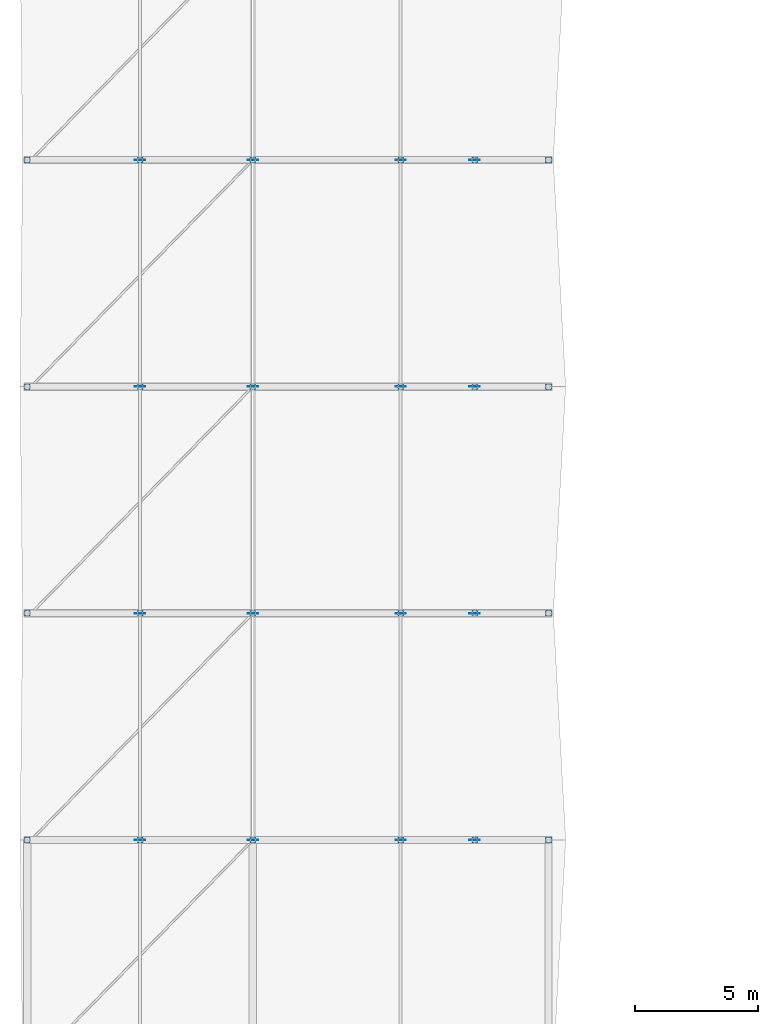
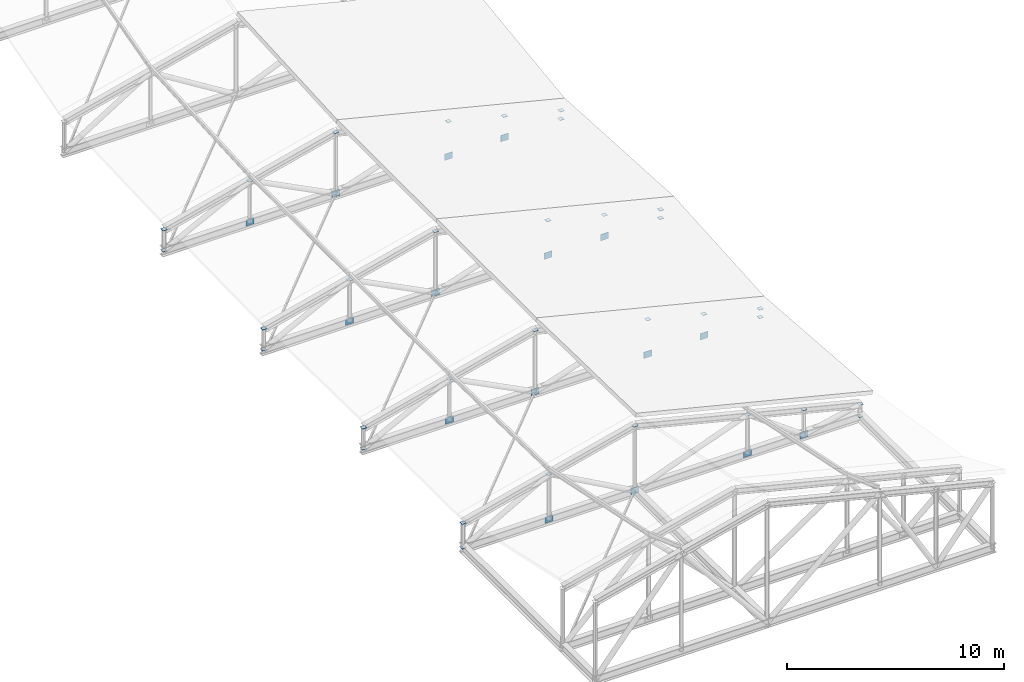
# One storey, part 41 of 61: 48 plates.
"""IFC4 building model written with IfcOpenShell, lengths in metres."""

import ifcopenshell
import ifcopenshell.guid

model = None  # the IFC model being written
_history = None  # IfcOwnerHistory: only IFC2X3 demands one
_inside = {}  # id of a spatial element -> (the spatial element, [elements in it])
_under = {}  # id of a project, library or spatial element -> (it, [spatial elements below it])
_declared = {}  # id of a project -> (the project, [libraries it declares])
_typed = {}  # id of a type object -> (the type object, [elements of that type])
_made_of = {}  # id of a material, layer set ... -> (it, [elements and type objects made of it])


def new_model(schema):
    """Start an empty IFC model of exactly this schema.

    Asked for "IFC4X3", IfcOpenShell would pick the latest addendum, in which some entities
    have other attributes; the version numbers below select the first issue.
    IFC2X3 requires an IfcOwnerHistory on every rooted entity: one is made here for all.
    """
    global model, _history
    if schema == "IFC4X3":
        model = ifcopenshell.file(schema_version=(4, 3, 0, 0))
    else:
        model = ifcopenshell.file(schema=schema)
    _inside.clear()
    _under.clear()
    _declared.clear()
    _typed.clear()
    _made_of.clear()
    _history = None
    if model.schema == "IFC2X3":
        org = make("IfcOrganization", Name="unknown")
        user = make(
            "IfcPersonAndOrganization",
            ThePerson=make("IfcPerson", FamilyName="unknown"),
            TheOrganization=org,
        )
        app = make(
            "IfcApplication",
            ApplicationDeveloper=org,
            Version="unknown",
            ApplicationFullName="unknown",
            ApplicationIdentifier="unknown",
        )
        _history = make(
            "IfcOwnerHistory",
            OwningUser=user,
            OwningApplication=app,
            ChangeAction="ADDED",
            CreationDate=0,
        )
    return model


def make(cls, **values):
    """One entity of the class cls with the attributes given. An attribute that is None is left unset."""
    return model.create_entity(
        cls, **{name: value for name, value in values.items() if value is not None}
    )


def rooted(cls, **values):
    """An entity with a GlobalId (a new one), such as an element, a storey or a relation."""
    return make(cls, GlobalId=ifcopenshell.guid.new(), OwnerHistory=_history, **values)


def si_unit(unit_type, name, prefix=None):
    """IfcSIUnit, for example si_unit("LENGTHUNIT", "METRE", prefix="MILLI")."""
    return make("IfcSIUnit", UnitType=unit_type, Prefix=prefix, Name=name)


def assignment(units):
    """IfcUnitAssignment: the units of a project."""
    return None if units is None else make("IfcUnitAssignment", Units=units)


def point(xyz):
    """IfcCartesianPoint."""
    return None if xyz is None else make("IfcCartesianPoint", Coordinates=xyz)


def direction(xyz):
    """IfcDirection."""
    return None if xyz is None else make("IfcDirection", DirectionRatios=xyz)


def frame(location, z_axis=None, x_axis=None):
    """IfcAxis2Placement3D, a coordinate frame: its origin and axes. An axis left out is left unset."""
    return make(
        "IfcAxis2Placement3D",
        Location=point(location),
        Axis=direction(z_axis),
        RefDirection=direction(x_axis),
    )


def frame_2d(location, x_axis=None):
    """IfcAxis2Placement2D, a coordinate frame in the plane: its origin and x axis."""
    return make(
        "IfcAxis2Placement2D", Location=point(location), RefDirection=direction(x_axis)
    )


def origin():
    """The frame at (0, 0, 0) with its axes left unset."""
    return frame((0.0, 0.0, 0.0))


def origin_2d():
    """The frame at (0, 0) in the plane with its x axis left unset."""
    return frame_2d((0.0, 0.0))


def place(relative_to, where):
    """IfcLocalPlacement: puts the frame where relative to a parent placement (None: the world)."""
    return make(
        "IfcLocalPlacement", PlacementRelTo=relative_to, RelativePlacement=where
    )


def context(
    kind, dimensions, precision=None, world=None, true_north=None, identifier=None
):
    """IfcGeometricRepresentationContext, for example the 3D "Model" context."""
    return make(
        "IfcGeometricRepresentationContext",
        ContextIdentifier=identifier,
        ContextType=kind,
        CoordinateSpaceDimension=dimensions,
        Precision=precision,
        WorldCoordinateSystem=world,
        TrueNorth=true_north,
    )


def subcontext(parent, identifier, kind, view, scale=None):
    """IfcGeometricRepresentationSubContext, for example "Body" below "Model"."""
    return make(
        "IfcGeometricRepresentationSubContext",
        ContextIdentifier=identifier,
        ContextType=kind,
        ParentContext=parent,
        TargetScale=scale,
        TargetView=view,
    )


def project(units=None, contexts=None):
    """IfcProject with its units and contexts."""
    return rooted(
        "IfcProject",
        Name="project",
        RepresentationContexts=contexts,
        UnitsInContext=assignment(units),
    )


def spatial(cls, under=None, at=None, **own):
    """A site, building, storey or space (cls), placed at a placement, below another one or the project."""
    s = rooted(cls, ObjectPlacement=at, **own)
    if under is not None:
        _under.setdefault(under.id(), (under, []))[1].append(s)
    return s


def profile(cls, at=None, kind="AREA", **sizes):
    """A parametric profile (cls). Its sizes go by their IFC names, for example OverallWidth=200.0."""
    return make(cls, ProfileType=kind, Position=at, **sizes)


def rectangle(**sizes):
    """IfcRectangleProfileDef."""
    return profile("IfcRectangleProfileDef", **sizes)


def extrude(swept, where, along, depth):
    """IfcExtrudedAreaSolid: the profile swept, set in the frame where, extruded along a direction by depth."""
    return make(
        "IfcExtrudedAreaSolid",
        SweptArea=swept,
        Position=where,
        ExtrudedDirection=direction(along),
        Depth=depth,
    )


def shape(context_of_items, identifier, shape_type, items):
    """IfcShapeRepresentation: the items that make up one representation, for example the "Body"."""
    return make(
        "IfcShapeRepresentation",
        ContextOfItems=context_of_items,
        RepresentationIdentifier=identifier,
        RepresentationType=shape_type,
        Items=items,
    )


def material(Name=None, Category=None):
    """IfcMaterial."""
    return make("IfcMaterial", Name=Name, Category=Category)


def layer(
    of_material, thickness, ventilated=None, Name=None, Category=None, Priority=None
):
    """IfcMaterialLayer: one layer of a wall or slab, of a material (None: an air gap)."""
    return make(
        "IfcMaterialLayer",
        Material=of_material,
        LayerThickness=thickness,
        IsVentilated=ventilated,
        Name=Name,
        Category=Category,
        Priority=Priority,
    )


def layer_set(layers, Name=None):
    """IfcMaterialLayerSet."""
    return make("IfcMaterialLayerSet", MaterialLayers=layers, LayerSetName=Name)


def made_of(thing, what):
    """Note that an element or type object is made of a material, layer set ...; save() writes the relation."""
    if what is not None:
        _made_of.setdefault(what.id(), (what, []))[1].append(thing)
    return thing


def type_object(cls, material=None, **own):
    """A type object (cls), such as IfcWallType, which elements share."""
    return made_of(rooted(cls, **own), material)


def element(
    cls,
    number,
    at=None,
    inside=None,
    cuts=None,
    type_object=None,
    material=None,
    context=None,
    identifier="Body",
    shape_type=None,
    held_by="IfcProductDefinitionShape",
    body=None,
    shapes=None,
    **own,
):
    """One element of the class cls, such as IfcWall. Its Tag is "e" and its number.

    at: its placement. inside: the storey or other place that contains it. cuts: it is an
    opening in that element (IfcRelVoidsElement). A single representation is given by context,
    identifier, shape_type and body (its items); several are given by shapes. held_by: the class
    of the entity that holds the representations. save() writes the other relations.
    """
    e = rooted(cls, Tag="e%d" % number, ObjectPlacement=at, **own)
    if body is not None:
        shapes = [shape(context, identifier, shape_type, body)]
    if shapes is not None:
        e.Representation = make(held_by, Representations=shapes)
    if inside is not None:
        _inside.setdefault(inside.id(), (inside, []))[1].append(e)
    if cuts is not None:
        rooted(
            "IfcRelVoidsElement", RelatingBuildingElement=cuts, RelatedOpeningElement=e
        )
    if type_object is not None:
        _typed.setdefault(type_object.id(), (type_object, []))[1].append(e)
    return made_of(e, material)


def aggregate(whole, parts):
    """IfcRelAggregates: a whole, such as a stair, and the parts it consists of."""
    return rooted("IfcRelAggregates", RelatingObject=whole, RelatedObjects=parts)


def save(model, path):
    """Write the relations noted so far, then the file.

    IfcRelAggregates (storeys below a building ...), IfcRelContainedInSpatialStructure (elements
    in a storey), IfcRelDefinesByType, IfcRelAssociatesMaterial and IfcRelDeclares: one each for
    every whole, place, type object, material and project.
    """
    for whole, parts in _under.values():
        aggregate(whole, parts)
    for where, things in _inside.values():
        rooted(
            "IfcRelContainedInSpatialStructure",
            RelatedElements=things,
            RelatingStructure=where,
        )
    for kind, things in _typed.values():
        rooted("IfcRelDefinesByType", RelatedObjects=things, RelatingType=kind)
    for what, things in _made_of.values():
        rooted("IfcRelAssociatesMaterial", RelatedObjects=things, RelatingMaterial=what)
    for by, libraries in _declared.values():
        rooted("IfcRelDeclares", RelatingContext=by, RelatedDefinitions=libraries)
    model.write(path)


model = new_model("IFC4")

# Units and contexts
model_context = context("Model", 3, precision=1e-05, world=origin(), true_north=direction((0.0, 1.0)))
body_context = subcontext(model_context, "Body", "Model", "MODEL_VIEW")
ifc_project = project(units=[si_unit("LENGTHUNIT", "METRE"), si_unit("AREAUNIT", "SQUARE_METRE"), si_unit("VOLUMEUNIT", "CUBIC_METRE"), si_unit("PLANEANGLEUNIT", "RADIAN"), si_unit("MASSUNIT", "GRAM", prefix="KILO")], contexts=[model_context])

# Site, building, storey
site_placement = place(None, origin())
site = spatial("IfcSite", under=ifc_project, at=site_placement, CompositionType="ELEMENT")
building_placement = place(site_placement, origin())
building = spatial("IfcBuilding", under=site, at=building_placement, Name="Bozkorgan Art Gallery", CompositionType="ELEMENT")
storey_placement = place(building_placement, frame((0.0, 0.0, 10.199951171875)))
storey = spatial("IfcBuildingStorey", under=building, at=storey_placement, Name="L02", CompositionType="ELEMENT", Elevation=10.199951171875)

# Plates
ifc_material = material(Name="Steel S355J2", Category="steel")
ifc_layer_1 = layer(ifc_material, 0.01611328125, Name="Steel S355J2")
ifc_layer_set_1 = layer_set([ifc_layer_1], Name="Steel S355J2")
plate_type_1 = type_object("IfcPlateType", Name="PLATE-EC-05", PredefinedType="USERDEFINED", material=ifc_layer_set_1)
for number, where, z_axis, x_axis, name in (
    (1, (1.85009765625, 66.0, 1.635009765625), (0.0, 0.0, 1.0), (1.0, 0.0, 0.0), "Truss V2 post cap 3.0"),
    (2, (1.85009765625, 66.0, 0.241943359375), (0.0, 0.0, 1.0), (1.0, 0.0, 0.0), "Truss V2 post base cap 3.0"),
    (3, (6.425048828125, 66.0, 2.775634765625), (0.0, 0.0, 1.0), (1.0, 0.0, 0.0), "Truss V2 post cap 3.1"),
    (4, (11.0, 66.0, 3.916259765625), (0.0, 0.0, 1.0), (1.0, 0.0, 0.0), "Truss V2 post cap 3.2"),
    (5, (17.0, 66.0, 2.42041015625), (0.0, 0.0, 1.0), (1.0, 0.0, 0.0), "Truss V2 post cap 3.3"),
    (6, (20.0, 66.0, 1.67236328125), (0.0, 0.0, 1.0), (1.0, 0.0, 0.0), "Truss V2 post cap 3.4"),
    (7, (23.0, 66.0, 0.92431640625), (0.0, 0.0, 1.0), (1.0, 0.0, 0.0), "Truss V2 post cap 3.5"),
    (8, (23.0, 66.0, 0.241943359375), (0.0, 0.0, 1.0), (1.0, 0.0, 0.0), "Truss V2 post base cap 3.5"),
    (9, (1.85009765625, 75.199951171875, 1.4287109375), (0.0, 0.0, 1.0), (1.0, 0.0, 0.0), "Truss V2 post cap 4.0"),
    (10, (1.85009765625, 75.199951171875, 0.241943359375), (0.0, 0.0, 1.0), (1.0, 0.0, 0.0), "Truss V2 post base cap 4.0"),
    (11, (6.425048828125, 75.199951171875, 2.5693359375), (0.0, 0.0, 1.0), (1.0, 0.0, 0.0), "Truss V2 post cap 4.1"),
    (12, (11.0, 75.199951171875, 3.710205078125), (0.0, 0.0, 1.0), (1.0, 0.0, 0.0), "Truss V2 post cap 4.2"),
    (13, (17.0, 75.199951171875, 2.214111328125), (0.0, 0.0, 1.0), (1.0, 0.0, 0.0), "Truss V2 post cap 4.3"),
    (14, (20.0, 75.199951171875, 1.466064453125), (0.0, 0.0, 1.0), (1.0, 0.0, 0.0), "Truss V2 post cap 4.4"),
    (15, (23.0, 75.199951171875, 0.71826171875), (0.0, 0.0, 1.0), (1.0, 0.0, 0.0), "Truss V2 post cap 4.5"),
    (16, (23.0, 75.199951171875, 0.241943359375), (0.0, 0.0, 1.0), (1.0, 0.0, 0.0), "Truss V2 post base cap 4.5"),
    (17, (1.85009765625, 84.39990234375, 1.4287109375), (0.0, 0.0, 1.0), (1.0, 0.0, 0.0), "Truss V2 post cap 5.0"),
    (18, (1.85009765625, 84.39990234375, 0.241943359375), (0.0, 0.0, 1.0), (1.0, 0.0, 0.0), "Truss V2 post base cap 5.0"),
    (19, (6.425048828125, 84.39990234375, 2.5693359375), (0.0, 0.0, 1.0), (1.0, 0.0, 0.0), "Truss V2 post cap 5.1"),
    (20, (11.0, 84.39990234375, 3.710205078125), (0.0, 0.0, 1.0), (1.0, 0.0, 0.0), "Truss V2 post cap 5.2"),
    (21, (17.0, 84.39990234375, 2.214111328125), (0.0, 0.0, 1.0), (1.0, 0.0, 0.0), "Truss V2 post cap 5.3"),
    (22, (20.0, 84.39990234375, 1.466064453125), (0.0, 0.0, 1.0), (1.0, 0.0, 0.0), "Truss V2 post cap 5.4"),
    (23, (23.0, 84.39990234375, 0.71826171875), (0.0, 0.0, 1.0), (1.0, 0.0, 0.0), "Truss V2 post cap 5.5"),
    (24, (23.0, 84.39990234375, 0.241943359375), (0.0, 0.0, 1.0), (1.0, 0.0, 0.0), "Truss V2 post base cap 5.5"),
    (25, (1.85009765625, 93.60009765625, 1.4287109375), (0.0, 0.0, 1.0), (1.0, 0.0, 0.0), "Truss V2 post cap 6.0"),
    (26, (1.85009765625, 93.60009765625, 0.241943359375), (0.0, 0.0, 1.0), (1.0, 0.0, 0.0), "Truss V2 post base cap 6.0"),
    (27, (6.425048828125, 93.60009765625, 2.5693359375), (0.0, 0.0, 1.0), (1.0, 0.0, 0.0), "Truss V2 post cap 6.1"),
    (28, (11.0, 93.60009765625, 3.710205078125), (0.0, 0.0, 1.0), (1.0, 0.0, 0.0), "Truss V2 post cap 6.2"),
    (29, (17.0, 93.60009765625, 2.214111328125), (0.0, 0.0, 1.0), (1.0, 0.0, 0.0), "Truss V2 post cap 6.3"),
    (30, (20.0, 93.60009765625, 1.466064453125), (0.0, 0.0, 1.0), (1.0, 0.0, 0.0), "Truss V2 post cap 6.4"),
    (31, (23.0, 93.60009765625, 0.71826171875), (0.0, 0.0, 1.0), (1.0, 0.0, 0.0), "Truss V2 post cap 6.5"),
    (32, (23.0, 93.60009765625, 0.241943359375), (0.0, 0.0, 1.0), (1.0, 0.0, 0.0), "Truss V2 post base cap 6.5"),
):
    element("IfcPlate", number, at=place(storey_placement, frame(where, z_axis=z_axis, x_axis=x_axis)), inside=storey, type_object=plate_type_1, Name=name, ObjectType="END CAP PLATE", PredefinedType="USERDEFINED", context=body_context, shape_type="SweptSolid", body=[
        extrude(rectangle(XDim=0.22998046875, YDim=0.22998046875, at=origin_2d()), origin(), (0.0, 0.0, 1.0), 0.01611328125),
    ])
ifc_layer_2 = layer(ifc_material, 0.02392578125, Name="Steel S355J2")
ifc_layer_set_2 = layer_set([ifc_layer_2], Name="Steel S355J2")
plate_type_2 = type_object("IfcPlateType", Name="PLATE-GP-38", PredefinedType="USERDEFINED", material=ifc_layer_set_2)
for number, where, z_axis, x_axis, name in (
    (33, (11.0, 66.0, 0.06982421875), (0.0, 0.0, 1.0), (1.0, 0.0, 0.0), "Truss V2 span 3 node gusset TN-2"),
    (34, (11.0, 75.199951171875, 0.06982421875), (0.0, 0.0, 1.0), (1.0, 0.0, 0.0), "Truss V2 span 4 node gusset TN-2"),
    (35, (11.0, 84.39990234375, 0.06982421875), (0.0, 0.0, 1.0), (1.0, 0.0, 0.0), "Truss V2 span 5 node gusset TN-2"),
    (36, (11.0, 93.60009765625, 0.06982421875), (0.0, 0.0, 1.0), (1.0, 0.0, 0.0), "Truss V2 span 6 node gusset TN-2"),
):
    element("IfcPlate", number, at=place(storey_placement, frame(where, z_axis=z_axis, x_axis=x_axis)), inside=storey, type_object=plate_type_2, Name=name, ObjectType="GUSSET PLATE", PredefinedType="USERDEFINED", context=body_context, shape_type="SweptSolid", body=[
        extrude(rectangle(XDim=0.419921875, YDim=0.02001953125, at=origin_2d()), origin(), (0.0, 0.0, 1.0), 0.360107421875),
    ])
ifc_layer_3 = layer(ifc_material, 0.02001953125, Name="Steel S355J2")
ifc_layer_set_3 = layer_set([ifc_layer_3], Name="Steel S355J2")
plate_type_3 = type_object("IfcPlateType", Name="PLATE-GP-55", PredefinedType="USERDEFINED", material=ifc_layer_set_3)
for number, where, z_axis, x_axis, name in (
    (37, (6.425048828125, 66.0, 0.06982421875), (0.0, 0.0, 1.0), (1.0, 0.0, 0.0), "Truss V2 span 3 node gusset TN-1"),
    (38, (17.0, 66.0, 0.06982421875), (0.0, 0.0, 1.0), (1.0, 0.0, 0.0), "Truss V2 span 3 node gusset TN-3"),
    (39, (20.0, 66.0, 0.06982421875), (0.0, 0.0, 1.0), (1.0, 0.0, 0.0), "Truss V2 span 3 node gusset TN-4"),
    (40, (6.425048828125, 75.199951171875, 0.06982421875), (0.0, 0.0, 1.0), (1.0, 0.0, 0.0), "Truss V2 span 4 node gusset TN-1"),
    (41, (17.0, 75.199951171875, 0.06982421875), (0.0, 0.0, 1.0), (1.0, 0.0, 0.0), "Truss V2 span 4 node gusset TN-3"),
    (42, (20.0, 75.199951171875, 0.06982421875), (0.0, 0.0, 1.0), (1.0, 0.0, 0.0), "Truss V2 span 4 node gusset TN-4"),
    (43, (6.425048828125, 84.39990234375, 0.06982421875), (0.0, 0.0, 1.0), (1.0, 0.0, 0.0), "Truss V2 span 5 node gusset TN-1"),
    (44, (17.0, 84.39990234375, 0.06982421875), (0.0, 0.0, 1.0), (1.0, 0.0, 0.0), "Truss V2 span 5 node gusset TN-3"),
    (45, (20.0, 84.39990234375, 0.06982421875), (0.0, 0.0, 1.0), (1.0, 0.0, 0.0), "Truss V2 span 5 node gusset TN-4"),
    (46, (6.425048828125, 93.60009765625, 0.06982421875), (0.0, 0.0, 1.0), (1.0, 0.0, 0.0), "Truss V2 span 6 node gusset TN-1"),
    (47, (17.0, 93.60009765625, 0.06982421875), (0.0, 0.0, 1.0), (1.0, 0.0, 0.0), "Truss V2 span 6 node gusset TN-3"),
    (48, (20.0, 93.60009765625, 0.06982421875), (0.0, 0.0, 1.0), (1.0, 0.0, 0.0), "Truss V2 span 6 node gusset TN-4"),
):
    element("IfcPlate", number, at=place(storey_placement, frame(where, z_axis=z_axis, x_axis=x_axis)), inside=storey, type_object=plate_type_3, Name=name, ObjectType="GUSSET PLATE", PredefinedType="USERDEFINED", context=body_context, shape_type="SweptSolid", body=[
        extrude(rectangle(XDim=0.419921875, YDim=0.02001953125, at=origin_2d()), origin(), (0.0, 0.0, 1.0), 0.360107421875),
    ])

save(model, "model.ifc")
